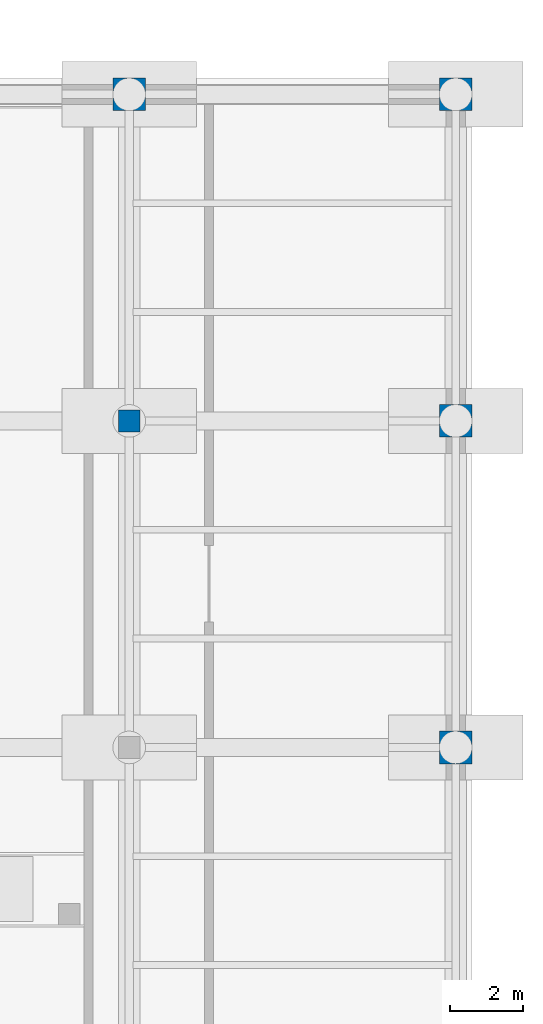
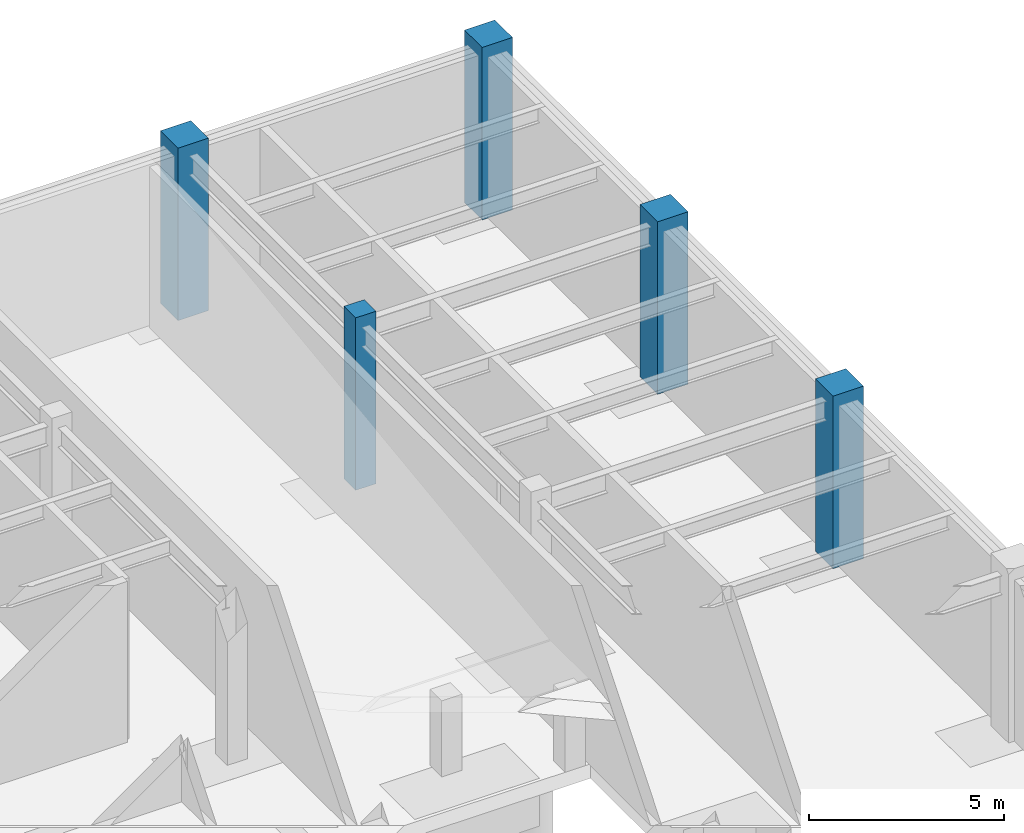
# One storey, part 30 of 56: 5 columns.
"""IFC4 building model written with IfcOpenShell, lengths in metres."""

from ifc_helpers import new_model, si_unit, direction, frame, origin, origin_2d, place, context, subcontext, project, spatial, rectangle, extrude, material, material_profile, profile_set, type_object, element, save


model = new_model("IFC4")

# Units and contexts
model_context = context("Model", 3, precision=1e-05, world=origin(), true_north=direction((0.0, 1.0)))
body_context = subcontext(model_context, "Body", "Model", "MODEL_VIEW")
ifc_project = project(units=[si_unit("LENGTHUNIT", "METRE"), si_unit("AREAUNIT", "SQUARE_METRE"), si_unit("VOLUMEUNIT", "CUBIC_METRE"), si_unit("PLANEANGLEUNIT", "RADIAN"), si_unit("MASSUNIT", "GRAM", prefix="KILO")], contexts=[model_context])

# Site, building, storey
site_placement = place(None, origin())
site = spatial("IfcSite", under=ifc_project, at=site_placement, CompositionType="ELEMENT")
building_placement = place(site_placement, origin())
building = spatial("IfcBuilding", under=site, at=building_placement, Name="Glasvene Arena", CompositionType="ELEMENT")
storey_placement = place(building_placement, frame((0.0, 0.0, -5.39990234375)))
storey = spatial("IfcBuildingStorey", under=building, at=storey_placement, Name="B1", CompositionType="ELEMENT", Elevation=-5.39990234375)

# Columns
ifc_material = material(Name="Concrete C40/50", Category="concrete")
ifc_material_profile_1 = material_profile(ifc_material, rectangle(XDim=0.89990234375, YDim=0.89990234375, at=origin_2d()), Name="RC 900x900")
ifc_profile_set_1 = profile_set([ifc_material_profile_1], Name="Concrete C40/50")
column_type_1 = type_object("IfcColumnType", Name="COL-BOWL-RC900", PredefinedType="COLUMN", material=ifc_profile_set_1)
for number, where, z_axis, x_axis, name in (
    (1, (165.0, 118.0, 0.0), (0.0, 0.0, 1.0), (1.0, 0.0, 0.0), "Grid column 19-14 B1"),
    (2, (174.0, 100.0, 0.0), (0.0, 0.0, 1.0), (1.0, 0.0, 0.0), "Grid column 20-12 B1"),
    (3, (174.0, 109.0, 0.0), (0.0, 0.0, 1.0), (1.0, 0.0, 0.0), "Grid column 20-13 B1"),
    (4, (174.0, 118.0, 0.0), (0.0, 0.0, 1.0), (1.0, 0.0, 0.0), "Grid column 20-14 B1"),
):
    element("IfcColumn", number, at=place(storey_placement, frame(where, z_axis=z_axis, x_axis=x_axis)), inside=storey, type_object=column_type_1, Name=name, PredefinedType="COLUMN", context=body_context, shape_type="SweptSolid", body=[
        extrude(rectangle(XDim=0.89990234375, YDim=0.89990234375, at=origin_2d()), origin(), (0.0, 0.0, 1.0), 5.39990234375),
    ])
ifc_material_profile_2 = material_profile(ifc_material, rectangle(XDim=0.60009765625, YDim=0.60009765625, at=origin_2d()), Name="RC 600x600")
ifc_profile_set_2 = profile_set([ifc_material_profile_2], Name="Concrete C40/50")
column_type_2 = type_object("IfcColumnType", Name="COL-IN-RC600", PredefinedType="COLUMN", material=ifc_profile_set_2)
column_placement = place(storey_placement, frame((165.0, 109.0, 0.0), z_axis=(0.0, 0.0, 1.0), x_axis=(1.0, 0.0, 0.0)))
element("IfcColumn", 5, at=column_placement, inside=storey, type_object=column_type_2, Name="Grid column 19-13 B1", PredefinedType="COLUMN", context=body_context, shape_type="SweptSolid", body=[
    extrude(rectangle(XDim=0.60009765625, YDim=0.60009765625, at=origin_2d()), origin(), (0.0, 0.0, 1.0), 5.39990234375),
])

save(model, "model.ifc")
